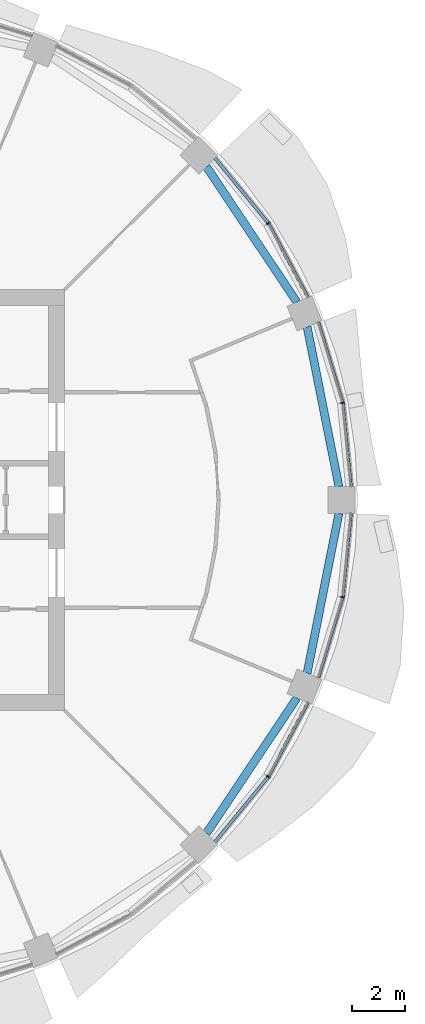
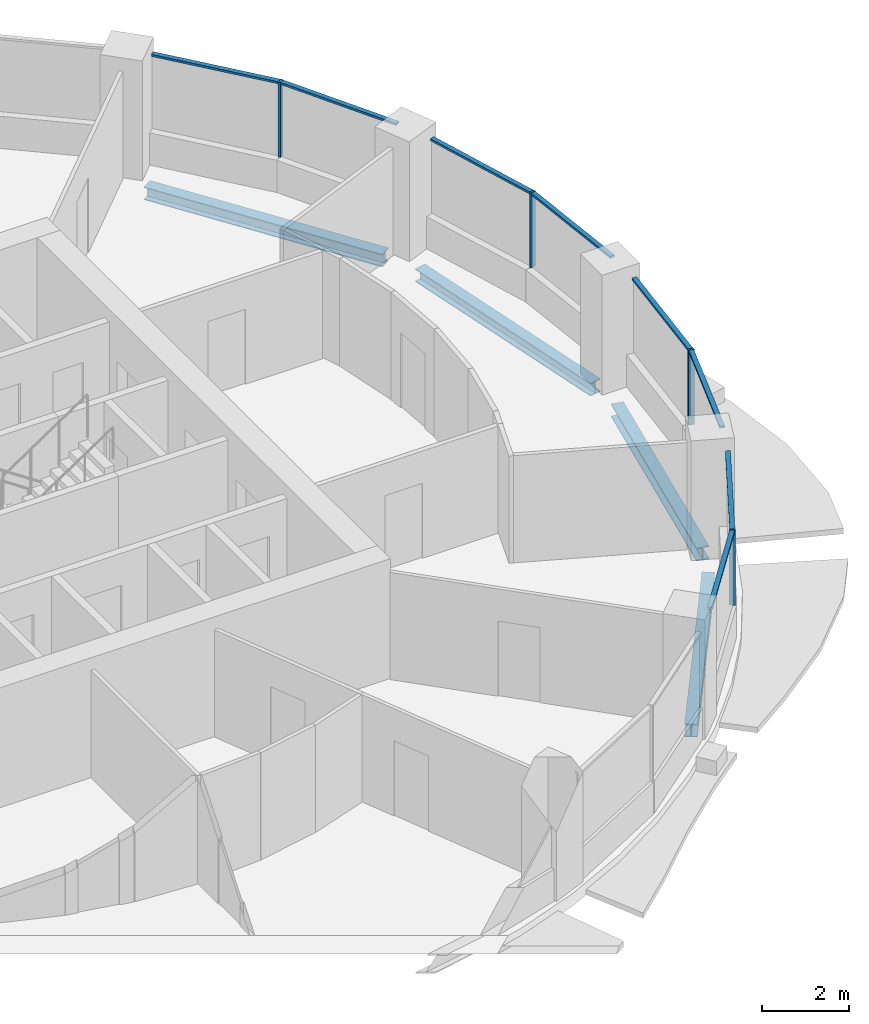
# One storey, part 5 of 15: 12 members, 4 beams, 4 elements without a shape of their own.
"""IFC4 building model written with IfcOpenShell, lengths in metres."""

from ifc_helpers import new_model, si_unit, direction, frame, origin, origin_2d, place, context, subcontext, project, spatial, rectangle, i_section, extrude, material, material_profile, profile_set, type_object, element, aggregate, save


model = new_model("IFC4")

# Units and contexts
model_context = context("Model", 3, precision=1e-05, world=origin(), true_north=direction((0.0, 1.0)))
body_context = subcontext(model_context, "Body", "Model", "MODEL_VIEW")
ifc_project = project(units=[si_unit("LENGTHUNIT", "METRE"), si_unit("AREAUNIT", "SQUARE_METRE"), si_unit("VOLUMEUNIT", "CUBIC_METRE"), si_unit("PLANEANGLEUNIT", "RADIAN"), si_unit("MASSUNIT", "GRAM", prefix="KILO")], contexts=[model_context])

# Site, building, storey
site_placement = place(None, origin())
site = spatial("IfcSite", under=ifc_project, at=site_placement, CompositionType="ELEMENT")
building_placement = place(site_placement, origin())
building = spatial("IfcBuilding", under=site, at=building_placement, Name="Polderwave Tower", CompositionType="ELEMENT")
storey_placement = place(building_placement, frame((0.0, 0.0, 151.10009765625)))
storey = spatial("IfcBuildingStorey", under=building, at=storey_placement, Name="L40", CompositionType="ELEMENT", Elevation=151.10009765625)

# Curtain wall, member
ifc_material_1 = material(Name="Aluminium 6063-T6 and glass", Category="aluminium")
curtain_wall_type = type_object("IfcCurtainWallType", Name="Office ribbon glazing wall", PredefinedType="NOTDEFINED", material=ifc_material_1)
curtain_wall_1_placement = place(storey_placement, origin())
curtain_wall_1 = element("IfcCurtainWall", 1, at=curtain_wall_1_placement, inside=storey, type_object=curtain_wall_type, Name="CW3 L40 00", PredefinedType="NOTDEFINED")
ifc_material_2 = material(Name="Aluminium 6063-T6", Category="aluminium")
ifc_material_profile_1 = material_profile(ifc_material_2, rectangle(XDim=0.139892578125, YDim=0.054931640625, at=origin_2d()), Name="AL 55x140")
ifc_profile_set_1 = profile_set([ifc_material_profile_1], Name="Aluminium 6063-T6")
member_type_1 = type_object("IfcMemberType", Name="Office ribbon glazing mullion 55x140", PredefinedType="MULLION", material=ifc_profile_set_1)
member_1_placement = place(storey_placement, frame((18.27197265625, 3.635009765625, 0.89990234375), z_axis=(0.0, 0.0, 1.0), x_axis=(-0.980786642367, -0.195083474838, 0.0)))
member_1 = element("IfcMember", 2, at=member_1_placement, type_object=member_type_1, Name="CW3 mullion 1", PredefinedType="MULLION", context=body_context, shape_type="SweptSolid", body=[
    extrude(rectangle(XDim=0.139892578125, YDim=0.054931640625, at=origin_2d()), origin(), (0.0, 0.0, 1.0), 2.10009765625),
])

curtain_wall_2_placement = place(storey_placement, origin())
curtain_wall_2 = element("IfcCurtainWall", 3, at=curtain_wall_2_placement, inside=storey, type_object=curtain_wall_type, Name="CW3 L40 01", PredefinedType="NOTDEFINED")
member_2_placement = place(storey_placement, frame((15.489990234375, 10.35009765625, 0.89990234375), z_axis=(0.0, 0.0, 1.0), x_axis=(-0.831484156812, -0.555548465006, 0.0)))
member_2 = element("IfcMember", 4, at=member_2_placement, type_object=member_type_1, Name="CW3 mullion 1", PredefinedType="MULLION", context=body_context, shape_type="SweptSolid", body=[
    extrude(rectangle(XDim=0.139892578125, YDim=0.054931640625, at=origin_2d()), origin(), (0.0, 0.0, 1.0), 2.10009765625),
])

curtain_wall_3_placement = place(storey_placement, origin())
curtain_wall_3 = element("IfcCurtainWall", 5, at=curtain_wall_3_placement, inside=storey, type_object=curtain_wall_type, Name="CW3 L40 14", PredefinedType="NOTDEFINED")
member_3_placement = place(storey_placement, frame((15.489990234375, -10.35009765625, 0.89990234375), z_axis=(0.0, 0.0, 1.0), x_axis=(-0.831484156812, 0.555548465006, 0.0)))
member_3 = element("IfcMember", 6, at=member_3_placement, type_object=member_type_1, Name="CW3 mullion 1", PredefinedType="MULLION", context=body_context, shape_type="SweptSolid", body=[
    extrude(rectangle(XDim=0.139892578125, YDim=0.054931640625, at=origin_2d()), origin(), (0.0, 0.0, 1.0), 2.10009765625),
])

curtain_wall_4_placement = place(storey_placement, origin())
curtain_wall_4 = element("IfcCurtainWall", 7, at=curtain_wall_4_placement, inside=storey, type_object=curtain_wall_type, Name="CW3 L40 15", PredefinedType="NOTDEFINED")
member_4_placement = place(storey_placement, frame((18.27197265625, -3.635009765625, 0.89990234375), z_axis=(0.0, 0.0, 1.0), x_axis=(-0.980786642367, 0.195083474838, 0.0)))
member_4 = element("IfcMember", 8, at=member_4_placement, type_object=member_type_1, Name="CW3 mullion 1", PredefinedType="MULLION", context=body_context, shape_type="SweptSolid", body=[
    extrude(rectangle(XDim=0.139892578125, YDim=0.054931640625, at=origin_2d()), origin(), (0.0, 0.0, 1.0), 2.10009765625),
])

# Member
ifc_material_profile_2 = material_profile(ifc_material_2, rectangle(XDim=0.1201171875, YDim=0.06005859375, at=origin_2d()), Name="AL 60x120")
ifc_profile_set_2 = profile_set([ifc_material_profile_2], Name="Aluminium 6063-T6")
member_type_2 = type_object("IfcMemberType", Name="Office ribbon glazing transom 60x120", PredefinedType="USERDEFINED", material=ifc_profile_set_2)
member_5_placement = place(storey_placement, frame((18.5810546875, 0.5, 2.969970703125), z_axis=(-0.098118026186, 0.995174785119, 0.0), x_axis=(-0.995174785119, -0.098118026186, 0.0)))
member_5 = element("IfcMember", 9, at=member_5_placement, type_object=member_type_2, Name="CW3 transom 1", ObjectType="TRANSOM", PredefinedType="USERDEFINED", context=body_context, shape_type="SweptSolid", body=[
    extrude(rectangle(XDim=0.1201171875, YDim=0.06005859375, at=origin_2d()), origin(), (0.0, 0.0, 1.0), 3.122802734375),
])

member_6_placement = place(storey_placement, frame((18.263916015625, 3.661376953125, 2.969970703125), z_axis=(-0.290209241883, 0.956963215555, 0.0), x_axis=(-0.956963215555, -0.290209241883, 0.0)))
member_6 = element("IfcMember", 10, at=member_6_placement, type_object=member_type_2, Name="CW3 transom 2", ObjectType="TRANSOM", PredefinedType="USERDEFINED", context=body_context, shape_type="SweptSolid", body=[
    extrude(rectangle(XDim=0.1201171875, YDim=0.06005859375, at=origin_2d()), origin(), (0.0, 0.0, 1.0), 3.121826171875),
])

aggregate(curtain_wall_1, [member_1, member_5, member_6])

member_7_placement = place(storey_placement, frame((16.97509765625, 7.572021484375, 2.969970703125), z_axis=(-0.471472684712, 0.881880665153, 0.0), x_axis=(-0.881880665153, -0.471472684712, 0.0)))
member_7 = element("IfcMember", 11, at=member_7_placement, type_object=member_type_2, Name="CW3 transom 1", ObjectType="TRANSOM", PredefinedType="USERDEFINED", context=body_context, shape_type="SweptSolid", body=[
    extrude(rectangle(XDim=0.1201171875, YDim=0.06005859375, at=origin_2d()), origin(), (0.0, 0.0, 1.0), 3.12255859375),
])

member_8_placement = place(storey_placement, frame((15.47265625, 10.371337890625, 2.969970703125), z_axis=(-0.634382512988, 0.773019292913, 0.0), x_axis=(-0.773019292913, -0.634382512988, 0.0)))
member_8 = element("IfcMember", 12, at=member_8_placement, type_object=member_type_2, Name="CW3 transom 2", ObjectType="TRANSOM", PredefinedType="USERDEFINED", context=body_context, shape_type="SweptSolid", body=[
    extrude(rectangle(XDim=0.1201171875, YDim=0.06005859375, at=origin_2d()), origin(), (0.0, 0.0, 1.0), 3.122314453125),
])

aggregate(curtain_wall_2, [member_2, member_7, member_8])

member_9_placement = place(storey_placement, frame((13.491943359375, -12.784912109375, 2.969970703125), z_axis=(0.634382512988, 0.773019292913, 0.0), x_axis=(-0.773019292913, 0.634382512988, 0.0)))
member_9 = element("IfcMember", 13, at=member_9_placement, type_object=member_type_2, Name="CW3 transom 1", ObjectType="TRANSOM", PredefinedType="USERDEFINED", context=body_context, shape_type="SweptSolid", body=[
    extrude(rectangle(XDim=0.1201171875, YDim=0.06005859375, at=origin_2d()), origin(), (0.0, 0.0, 1.0), 3.122314453125),
])

member_10_placement = place(storey_placement, frame((15.5029296875, -10.32568359375, 2.969970703125), z_axis=(0.471472684712, 0.881880665153, 0.0), x_axis=(-0.881880665153, 0.471472684712, 0.0)))
member_10 = element("IfcMember", 14, at=member_10_placement, type_object=member_type_2, Name="CW3 transom 2", ObjectType="TRANSOM", PredefinedType="USERDEFINED", context=body_context, shape_type="SweptSolid", body=[
    extrude(rectangle(XDim=0.1201171875, YDim=0.06005859375, at=origin_2d()), origin(), (0.0, 0.0, 1.0), 3.12255859375),
])

aggregate(curtain_wall_3, [member_3, member_9, member_10])

member_11_placement = place(storey_placement, frame((17.35791015625, -6.64892578125, 2.969970703125), z_axis=(0.290209241883, 0.956963215555, 0.0), x_axis=(-0.956963215555, 0.290209241883, 0.0)))
member_11 = element("IfcMember", 15, at=member_11_placement, type_object=member_type_2, Name="CW3 transom 1", ObjectType="TRANSOM", PredefinedType="USERDEFINED", context=body_context, shape_type="SweptSolid", body=[
    extrude(rectangle(XDim=0.1201171875, YDim=0.06005859375, at=origin_2d()), origin(), (0.0, 0.0, 1.0), 3.121826171875),
])

member_12_placement = place(storey_placement, frame((18.274658203125, -3.607666015625, 2.969970703125), z_axis=(0.098118026186, 0.995174785119, 0.0), x_axis=(-0.995174785119, 0.098118026186, 0.0)))
member_12 = element("IfcMember", 16, at=member_12_placement, type_object=member_type_2, Name="CW3 transom 2", ObjectType="TRANSOM", PredefinedType="USERDEFINED", context=body_context, shape_type="SweptSolid", body=[
    extrude(rectangle(XDim=0.1201171875, YDim=0.06005859375, at=origin_2d()), origin(), (0.0, 0.0, 1.0), 3.122802734375),
])

aggregate(curtain_wall_4, [member_4, member_11, member_12])

# Beams
ifc_material_3 = material(Name="Steel S355", Category="steel")
ifc_material_profile_3 = material_profile(ifc_material_3, i_section(OverallWidth=0.300048828125, OverallDepth=0.360107421875, WebThickness=0.012451171875, FlangeThickness=0.0224609375, at=origin_2d()), Name="HE 360 B")
ifc_profile_set_3 = profile_set([ifc_material_profile_3], Name="Steel S355")
beam_type = type_object("IfcBeamType", Name="RING BEAM HE 360 B", PredefinedType="BEAM", material=ifc_profile_set_3)
for number, where, z_axis, x_axis, name in (
    (17, (18.130615234375, 0.5, -0.530029296875), (-0.19508354483, 0.980786628445, 0.0), (-0.980786628445, -0.19508354483, 0.0), "ST-RB-L40-00"),
    (18, (16.55908203125, 7.400146484375, -0.530029296875), (-0.555550531273, 0.831482776251, 0.0), (-0.831482776251, -0.555550531273, 0.0), "ST-RB-L40-01"),
    (19, (13.173828125, -12.466796875, -0.530029296875), (0.555550531273, 0.831482776251, 0.0), (-0.831482776251, 0.555550531273, 0.0), "ST-RB-L40-14"),
    (20, (16.94189453125, -6.476318359375, -0.530029296875), (0.19508354483, 0.980786628445, 0.0), (-0.980786628445, 0.19508354483, 0.0), "ST-RB-L40-15"),
):
    element("IfcBeam", number, at=place(storey_placement, frame(where, z_axis=z_axis, x_axis=x_axis)), inside=storey, type_object=beam_type, Name=name, PredefinedType="BEAM", context=body_context, shape_type="SweptSolid", body=[
        extrude(i_section(OverallWidth=0.300048828125, OverallDepth=0.360107421875, WebThickness=0.012451171875, FlangeThickness=0.0224609375, at=origin_2d()), origin(), (0.0, 0.0, 1.0), 6.093505859375),
    ])

save(model, "model.ifc")
